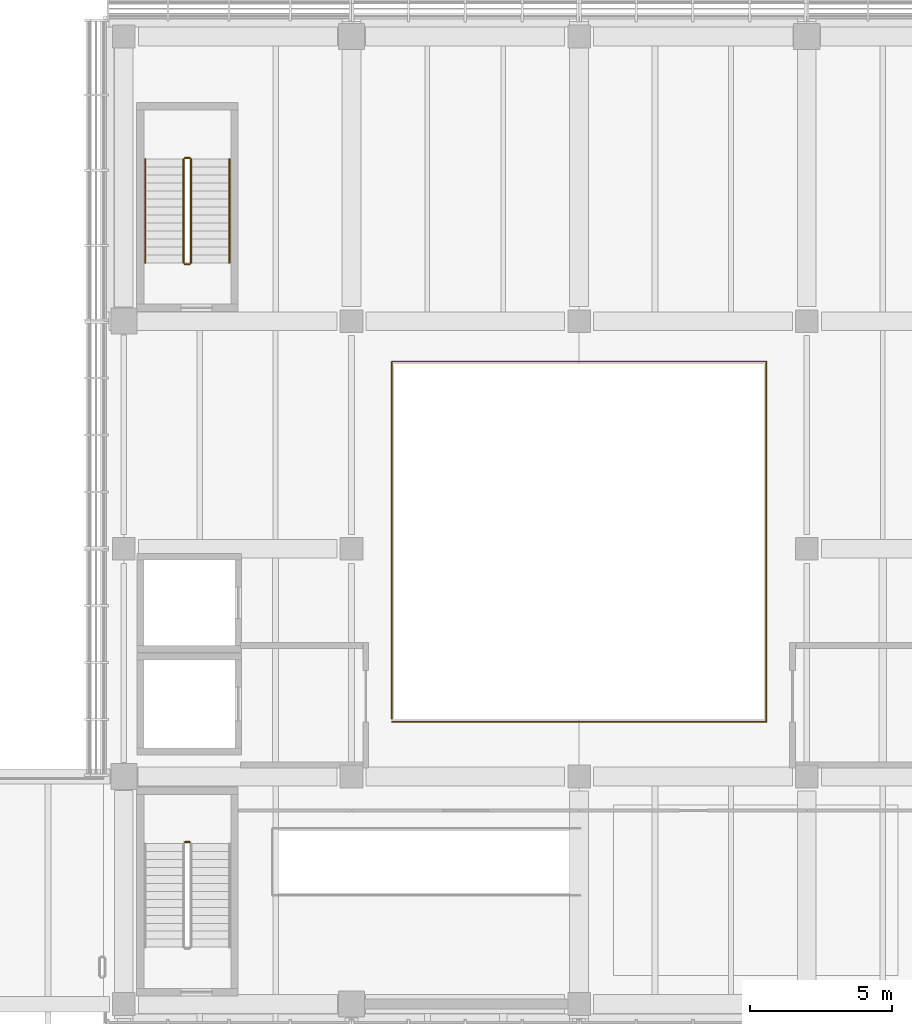
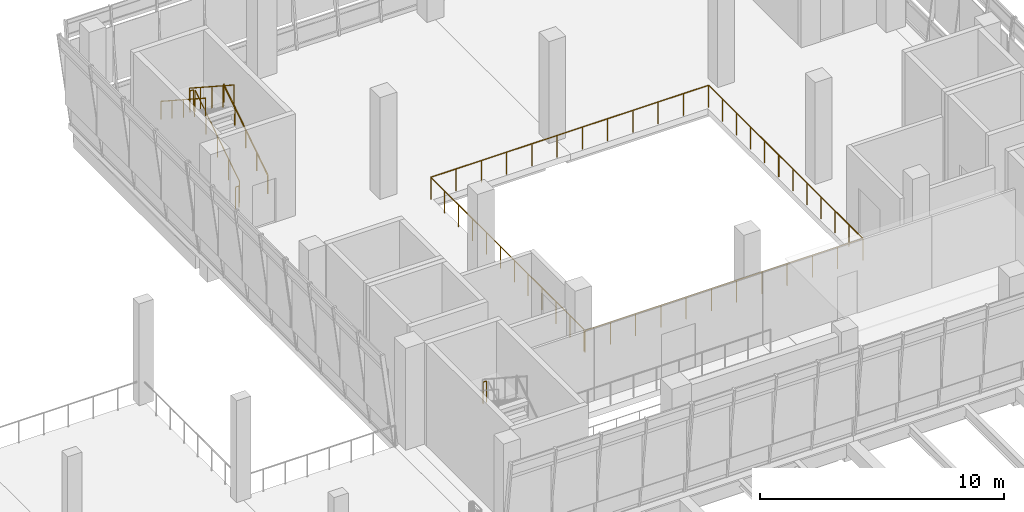
# One storey, part 55 of 61: 8 railings.
"""IFC4 building model written with IfcOpenShell, lengths in metres."""

from ifc_helpers import new_model, si_unit, direction, frame, origin, origin_2d, place, context, subcontext, project, spatial, circle, extrude, material, type_object, element, save


model = new_model("IFC4")

# Units and contexts
model_context = context("Model", 3, precision=1e-05, world=origin(), true_north=direction((0.0, 1.0)))
body_context = subcontext(model_context, "Body", "Model", "MODEL_VIEW")
ifc_project = project(units=[si_unit("LENGTHUNIT", "METRE"), si_unit("AREAUNIT", "SQUARE_METRE"), si_unit("VOLUMEUNIT", "CUBIC_METRE"), si_unit("PLANEANGLEUNIT", "RADIAN"), si_unit("MASSUNIT", "GRAM", prefix="KILO")], contexts=[model_context])

# Site, building, storey
site_placement = place(None, origin())
site = spatial("IfcSite", under=ifc_project, at=site_placement, CompositionType="ELEMENT")
building_placement = place(site_placement, origin())
building = spatial("IfcBuilding", under=site, at=building_placement, Name="Pecanmere Concourse Central Library", CompositionType="ELEMENT")
storey_placement = place(building_placement, frame((0.0, 0.0, 5.39990234375)))
storey = spatial("IfcBuildingStorey", under=building, at=storey_placement, Name="L02", CompositionType="ELEMENT", Elevation=5.39990234375)

# Railings
ifc_material_1 = material(Name="Architectural anodized bronze")
railing_type_1 = type_object("IfcRailingType", Name="RAIL_ATRIUM_BAL", PredefinedType="BALUSTRADE", material=ifc_material_1)
railing_1_placement = place(storey_placement, frame((81.419921875, 99.919921875, 0.0)))
element("IfcRailing", 1, at=railing_1_placement, inside=storey, type_object=railing_type_1, Name="Atrium Void Balustrade L02", PredefinedType="BALUSTRADE", context=body_context, shape_type="SweptSolid", body=[
    extrude(circle(Radius=0.02392578125, at=origin_2d()), frame((0.0, 0.0, 1.09619140625), z_axis=(1.0, 0.0, 0.0), x_axis=(0.0, 1.0, 0.0)), (0.0, 0.0, 1.0), 13.16015625),
    extrude(circle(Radius=0.02392578125, at=origin_2d()), frame((13.16015625, 0.0, 1.09619140625), z_axis=(0.0, 1.0, 0.0), x_axis=(-1.0, 0.0, 0.0)), (0.0, 0.0, 1.0), 12.66015625),
    extrude(circle(Radius=0.02392578125, at=origin_2d()), frame((13.16015625, 12.66015625, 1.09619140625), z_axis=(-1.0, 0.0, 0.0), x_axis=(0.0, -1.0, 0.0)), (0.0, 0.0, 1.0), 13.16015625),
    extrude(circle(Radius=0.02392578125, at=origin_2d()), frame((0.0, 12.66015625, 1.09619140625), z_axis=(0.0, -1.0, 0.0), x_axis=(1.0, 0.0, 0.0)), (0.0, 0.0, 1.0), 12.56005859375),
    extrude(circle(Radius=0.02099609375, at=origin_2d()), origin(), (0.0, 0.0, 1.0), 1.072021484375),
    extrude(circle(Radius=0.02099609375, at=origin_2d()), frame((1.1962890625, 0.0, 0.0)), (0.0, 0.0, 1.0), 1.072021484375),
    extrude(circle(Radius=0.02099609375, at=origin_2d()), frame((2.392822265625, 0.0, 0.0)), (0.0, 0.0, 1.0), 1.072021484375),
    extrude(circle(Radius=0.02099609375, at=origin_2d()), frame((3.589111328125, 0.0, 0.0)), (0.0, 0.0, 1.0), 1.072021484375),
    extrude(circle(Radius=0.02099609375, at=origin_2d()), frame((4.785400390625, 0.0, 0.0)), (0.0, 0.0, 1.0), 1.072021484375),
    extrude(circle(Radius=0.02099609375, at=origin_2d()), frame((5.98193359375, 0.0, 0.0)), (0.0, 0.0, 1.0), 1.072021484375),
    extrude(circle(Radius=0.02099609375, at=origin_2d()), frame((7.17822265625, 0.0, 0.0)), (0.0, 0.0, 1.0), 1.072021484375),
    extrude(circle(Radius=0.02099609375, at=origin_2d()), frame((8.374755859375, 0.0, 0.0)), (0.0, 0.0, 1.0), 1.072021484375),
    extrude(circle(Radius=0.02099609375, at=origin_2d()), frame((9.571044921875, 0.0, 0.0)), (0.0, 0.0, 1.0), 1.072021484375),
    extrude(circle(Radius=0.02099609375, at=origin_2d()), frame((10.767333984375, 0.0, 0.0)), (0.0, 0.0, 1.0), 1.072021484375),
    extrude(circle(Radius=0.02099609375, at=origin_2d()), frame((11.9638671875, 0.0, 0.0)), (0.0, 0.0, 1.0), 1.072021484375),
    extrude(circle(Radius=0.02099609375, at=origin_2d()), frame((13.16015625, 0.0, 0.0)), (0.0, 0.0, 1.0), 1.072021484375),
    extrude(circle(Radius=0.02099609375, at=origin_2d()), frame((13.16015625, 1.15087890625, 0.0)), (0.0, 0.0, 1.0), 1.072021484375),
    extrude(circle(Radius=0.02099609375, at=origin_2d()), frame((13.16015625, 2.3017578125, 0.0)), (0.0, 0.0, 1.0), 1.072021484375),
    extrude(circle(Radius=0.02099609375, at=origin_2d()), frame((13.16015625, 3.452880859375, 0.0)), (0.0, 0.0, 1.0), 1.072021484375),
    extrude(circle(Radius=0.02099609375, at=origin_2d()), frame((13.16015625, 4.603759765625, 0.0)), (0.0, 0.0, 1.0), 1.072021484375),
    extrude(circle(Radius=0.02099609375, at=origin_2d()), frame((13.16015625, 5.754638671875, 0.0)), (0.0, 0.0, 1.0), 1.072021484375),
    extrude(circle(Radius=0.02099609375, at=origin_2d()), frame((13.16015625, 6.905517578125, 0.0)), (0.0, 0.0, 1.0), 1.072021484375),
    extrude(circle(Radius=0.02099609375, at=origin_2d()), frame((13.16015625, 8.056396484375, 0.0)), (0.0, 0.0, 1.0), 1.072021484375),
    extrude(circle(Radius=0.02099609375, at=origin_2d()), frame((13.16015625, 9.207275390625, 0.0)), (0.0, 0.0, 1.0), 1.072021484375),
    extrude(circle(Radius=0.02099609375, at=origin_2d()), frame((13.16015625, 10.3583984375, 0.0)), (0.0, 0.0, 1.0), 1.072021484375),
    extrude(circle(Radius=0.02099609375, at=origin_2d()), frame((13.16015625, 11.50927734375, 0.0)), (0.0, 0.0, 1.0), 1.072021484375),
    extrude(circle(Radius=0.02099609375, at=origin_2d()), frame((13.16015625, 12.66015625, 0.0)), (0.0, 0.0, 1.0), 1.072021484375),
    extrude(circle(Radius=0.02099609375, at=origin_2d()), frame((11.9638671875, 12.66015625, 0.0)), (0.0, 0.0, 1.0), 1.072021484375),
    extrude(circle(Radius=0.02099609375, at=origin_2d()), frame((10.767333984375, 12.66015625, 0.0)), (0.0, 0.0, 1.0), 1.072021484375),
    extrude(circle(Radius=0.02099609375, at=origin_2d()), frame((9.571044921875, 12.66015625, 0.0)), (0.0, 0.0, 1.0), 1.072021484375),
    extrude(circle(Radius=0.02099609375, at=origin_2d()), frame((8.374755859375, 12.66015625, 0.0)), (0.0, 0.0, 1.0), 1.072021484375),
    extrude(circle(Radius=0.02099609375, at=origin_2d()), frame((7.17822265625, 12.66015625, 0.0)), (0.0, 0.0, 1.0), 1.072021484375),
    extrude(circle(Radius=0.02099609375, at=origin_2d()), frame((5.98193359375, 12.66015625, 0.0)), (0.0, 0.0, 1.0), 1.072021484375),
    extrude(circle(Radius=0.02099609375, at=origin_2d()), frame((4.785400390625, 12.66015625, 0.0)), (0.0, 0.0, 1.0), 1.072021484375),
    extrude(circle(Radius=0.02099609375, at=origin_2d()), frame((3.589111328125, 12.66015625, 0.0)), (0.0, 0.0, 1.0), 1.072021484375),
    extrude(circle(Radius=0.02099609375, at=origin_2d()), frame((2.392822265625, 12.66015625, 0.0)), (0.0, 0.0, 1.0), 1.072021484375),
    extrude(circle(Radius=0.02099609375, at=origin_2d()), frame((1.1962890625, 12.66015625, 0.0)), (0.0, 0.0, 1.0), 1.072021484375),
    extrude(circle(Radius=0.02099609375, at=origin_2d()), frame((0.0, 12.66015625, 0.0)), (0.0, 0.0, 1.0), 1.072021484375),
    extrude(circle(Radius=0.02099609375, at=origin_2d()), frame((0.0, 11.518310546875, 0.0)), (0.0, 0.0, 1.0), 1.072021484375),
    extrude(circle(Radius=0.02099609375, at=origin_2d()), frame((0.0, 10.37646484375, 0.0)), (0.0, 0.0, 1.0), 1.072021484375),
    extrude(circle(Radius=0.02099609375, at=origin_2d()), frame((0.0, 9.234619140625, 0.0)), (0.0, 0.0, 1.0), 1.072021484375),
    extrude(circle(Radius=0.02099609375, at=origin_2d()), frame((0.0, 8.0927734375, 0.0)), (0.0, 0.0, 1.0), 1.072021484375),
    extrude(circle(Radius=0.02099609375, at=origin_2d()), frame((0.0, 6.950927734375, 0.0)), (0.0, 0.0, 1.0), 1.072021484375),
    extrude(circle(Radius=0.02099609375, at=origin_2d()), frame((0.0, 5.809326171875, 0.0)), (0.0, 0.0, 1.0), 1.072021484375),
    extrude(circle(Radius=0.02099609375, at=origin_2d()), frame((0.0, 4.66748046875, 0.0)), (0.0, 0.0, 1.0), 1.072021484375),
    extrude(circle(Radius=0.02099609375, at=origin_2d()), frame((0.0, 3.525634765625, 0.0)), (0.0, 0.0, 1.0), 1.072021484375),
    extrude(circle(Radius=0.02099609375, at=origin_2d()), frame((0.0, 2.3837890625, 0.0)), (0.0, 0.0, 1.0), 1.072021484375),
    extrude(circle(Radius=0.02099609375, at=origin_2d()), frame((0.0, 1.241943359375, 0.0)), (0.0, 0.0, 1.0), 1.072021484375),
    extrude(circle(Radius=0.02099609375, at=origin_2d()), frame((0.0, 0.10009765625, 0.0)), (0.0, 0.0, 1.0), 1.072021484375),
])
ifc_material_2 = material(Name="Painted architectural steel ASTM A36", Category="steel")
railing_type_2 = type_object("IfcRailingType", Name="RAIL_STAIR_GUARD", PredefinedType="GUARDRAIL", material=ifc_material_2)
railing_2_placement = place(storey_placement, frame((74.31005859375, 95.68994140625, 2.550048828125)))
element("IfcRailing", 2, at=railing_2_placement, inside=storey, type_object=railing_type_2, Name="L02 ST-01 Guard 2", PredefinedType="GUARDRAIL", context=body_context, shape_type="SweptSolid", body=[
    extrude(circle(Radius=0.02392578125, at=origin_2d()), frame((0.0, 0.0, 1.076171875), z_axis=(-1.0, 0.0, 0.0), x_axis=(0.0, -1.0, 0.0)), (0.0, 0.0, 1.0), 0.16015625),
    extrude(circle(Radius=0.02099609375, at=origin_2d()), origin(), (0.0, 0.0, 1.0), 1.052001953125),
    extrude(circle(Radius=0.02099609375, at=origin_2d()), frame((-0.16015625, 0.0, 0.0)), (0.0, 0.0, 1.0), 1.052001953125),
])
railing_3_placement = place(storey_placement, frame((74.360107421875, 116.050048828125, 0.18212890625)))
element("IfcRailing", 3, at=railing_3_placement, inside=storey, type_object=railing_type_2, Name="L02 ST-03 Guard 1", PredefinedType="GUARDRAIL", context=body_context, shape_type="SweptSolid", body=[
    extrude(circle(Radius=0.02392578125, at=origin_2d()), frame((0.0, 0.0, 1.076171875), z_axis=(0.0, 0.838234174257, 0.545310433706), x_axis=(-1.0, 0.0, 0.0)), (0.0, 0.0, 1.0), 4.34228515625),
    extrude(circle(Radius=0.02099609375, at=origin_2d()), origin(), (0.0, 0.0, 1.0), 1.052001953125),
    extrude(circle(Radius=0.02099609375, at=origin_2d()), frame((0.0, 0.909912109375, 0.592041015625)), (0.0, 0.0, 1.0), 1.052001953125),
    extrude(circle(Radius=0.02099609375, at=origin_2d()), frame((0.0, 1.81982421875, 1.18408203125)), (0.0, 0.0, 1.0), 1.052001953125),
    extrude(circle(Radius=0.02099609375, at=origin_2d()), frame((0.0, 2.72998046875, 1.77587890625)), (0.0, 0.0, 1.0), 1.052001953125),
    extrude(circle(Radius=0.02099609375, at=origin_2d()), frame((0.0, 3.639892578125, 2.367919921875)), (0.0, 0.0, 1.0), 1.052001953125),
])
railing_4_placement = place(storey_placement, frame((74.31005859375, 119.739990234375, 2.550048828125)))
element("IfcRailing", 4, at=railing_4_placement, inside=storey, type_object=railing_type_2, Name="L02 ST-03 Guard 2", PredefinedType="GUARDRAIL", context=body_context, shape_type="SweptSolid", body=[
    extrude(circle(Radius=0.02392578125, at=origin_2d()), frame((0.0, 0.0, 1.076171875), z_axis=(-1.0, 0.0, 0.0), x_axis=(0.0, -1.0, 0.0)), (0.0, 0.0, 1.0), 0.16015625),
    extrude(circle(Radius=0.02099609375, at=origin_2d()), origin(), (0.0, 0.0, 1.0), 1.052001953125),
    extrude(circle(Radius=0.02099609375, at=origin_2d()), frame((-0.16015625, 0.0, 0.0)), (0.0, 0.0, 1.0), 1.052001953125),
])
railing_5_placement = place(storey_placement, frame((74.10009765625, 119.68994140625, 2.732177734375)))
element("IfcRailing", 5, at=railing_5_placement, inside=storey, type_object=railing_type_2, Name="L02 ST-03 Guard 3", PredefinedType="GUARDRAIL", context=body_context, shape_type="SweptSolid", body=[
    extrude(circle(Radius=0.02392578125, at=origin_2d()), frame((0.0, 0.0, 1.076171875), z_axis=(0.0, -0.838234174257, 0.545310433706), x_axis=(1.0, 0.0, 0.0)), (0.0, 0.0, 1.0), 4.34228515625),
    extrude(circle(Radius=0.02099609375, at=origin_2d()), origin(), (0.0, 0.0, 1.0), 1.052001953125),
    extrude(circle(Radius=0.02099609375, at=origin_2d()), frame((0.0, -0.909912109375, 0.592041015625)), (0.0, 0.0, 1.0), 1.052001953125),
    extrude(circle(Radius=0.02099609375, at=origin_2d()), frame((0.0, -1.81982421875, 1.18408203125)), (0.0, 0.0, 1.0), 1.052001953125),
    extrude(circle(Radius=0.02099609375, at=origin_2d()), frame((0.0, -2.72998046875, 1.77587890625)), (0.0, 0.0, 1.0), 1.052001953125),
    extrude(circle(Radius=0.02099609375, at=origin_2d()), frame((0.0, -3.639892578125, 2.367919921875)), (0.0, 0.0, 1.0), 1.052001953125),
])
railing_6_placement = place(storey_placement, frame((74.31005859375, 116.0, 0.0)))
element("IfcRailing", 6, at=railing_6_placement, inside=storey, type_object=railing_type_2, Name="L02 ST-03 Guard 4", PredefinedType="GUARDRAIL", context=body_context, shape_type="SweptSolid", body=[
    extrude(circle(Radius=0.02392578125, at=origin_2d()), frame((0.0, 0.0, 1.076171875), z_axis=(-1.0, 0.0, 0.0), x_axis=(0.0, -1.0, 0.0)), (0.0, 0.0, 1.0), 0.16015625),
    extrude(circle(Radius=0.02099609375, at=origin_2d()), origin(), (0.0, 0.0, 1.0), 1.052001953125),
    extrude(circle(Radius=0.02099609375, at=origin_2d()), frame((-0.16015625, 0.0, 0.0)), (0.0, 0.0, 1.0), 1.052001953125),
])
ifc_material_3 = material(Name="Brushed stainless steel Grade 316", Category="steel")
railing_type_3 = type_object("IfcRailingType", Name="RAIL_STAIR_HR", PredefinedType="HANDRAIL", material=ifc_material_3)
railing_7_placement = place(storey_placement, frame((75.7099609375, 116.050048828125, 0.18212890625)))
element("IfcRailing", 7, at=railing_7_placement, inside=storey, type_object=railing_type_3, Name="L02 ST-03 Handrail 1", PredefinedType="HANDRAIL", context=body_context, shape_type="SweptSolid", body=[
    extrude(circle(Radius=0.02392578125, at=origin_2d()), frame((0.0, 0.0, 0.89111328125), z_axis=(0.0, 0.838234174257, 0.545310433706), x_axis=(-1.0, 0.0, 0.0)), (0.0, 0.0, 1.0), 4.34228515625),
    extrude(circle(Radius=0.02099609375, at=origin_2d()), origin(), (0.0, 0.0, 1.0), 0.866943359375),
    extrude(circle(Radius=0.02099609375, at=origin_2d()), frame((0.0, 0.909912109375, 0.592041015625)), (0.0, 0.0, 1.0), 0.866943359375),
    extrude(circle(Radius=0.02099609375, at=origin_2d()), frame((0.0, 1.81982421875, 1.18408203125)), (0.0, 0.0, 1.0), 0.866943359375),
    extrude(circle(Radius=0.02099609375, at=origin_2d()), frame((0.0, 2.72998046875, 1.77587890625)), (0.0, 0.0, 1.0), 0.866943359375),
    extrude(circle(Radius=0.02099609375, at=origin_2d()), frame((0.0, 3.639892578125, 2.367919921875)), (0.0, 0.0, 1.0), 0.866943359375),
])
railing_8_placement = place(storey_placement, frame((72.75, 119.68994140625, 2.732177734375)))
element("IfcRailing", 8, at=railing_8_placement, inside=storey, type_object=railing_type_3, Name="L02 ST-03 Handrail 2", PredefinedType="HANDRAIL", context=body_context, shape_type="SweptSolid", body=[
    extrude(circle(Radius=0.02392578125, at=origin_2d()), frame((0.0, 0.0, 0.89111328125), z_axis=(0.0, -0.838234174257, 0.545310433706), x_axis=(1.0, 0.0, 0.0)), (0.0, 0.0, 1.0), 4.34228515625),
    extrude(circle(Radius=0.02099609375, at=origin_2d()), origin(), (0.0, 0.0, 1.0), 0.866943359375),
    extrude(circle(Radius=0.02099609375, at=origin_2d()), frame((0.0, -0.909912109375, 0.592041015625)), (0.0, 0.0, 1.0), 0.866943359375),
    extrude(circle(Radius=0.02099609375, at=origin_2d()), frame((0.0, -1.81982421875, 1.18408203125)), (0.0, 0.0, 1.0), 0.866943359375),
    extrude(circle(Radius=0.02099609375, at=origin_2d()), frame((0.0, -2.72998046875, 1.77587890625)), (0.0, 0.0, 1.0), 0.866943359375),
    extrude(circle(Radius=0.02099609375, at=origin_2d()), frame((0.0, -3.639892578125, 2.367919921875)), (0.0, 0.0, 1.0), 0.866943359375),
])

save(model, "model.ifc")
